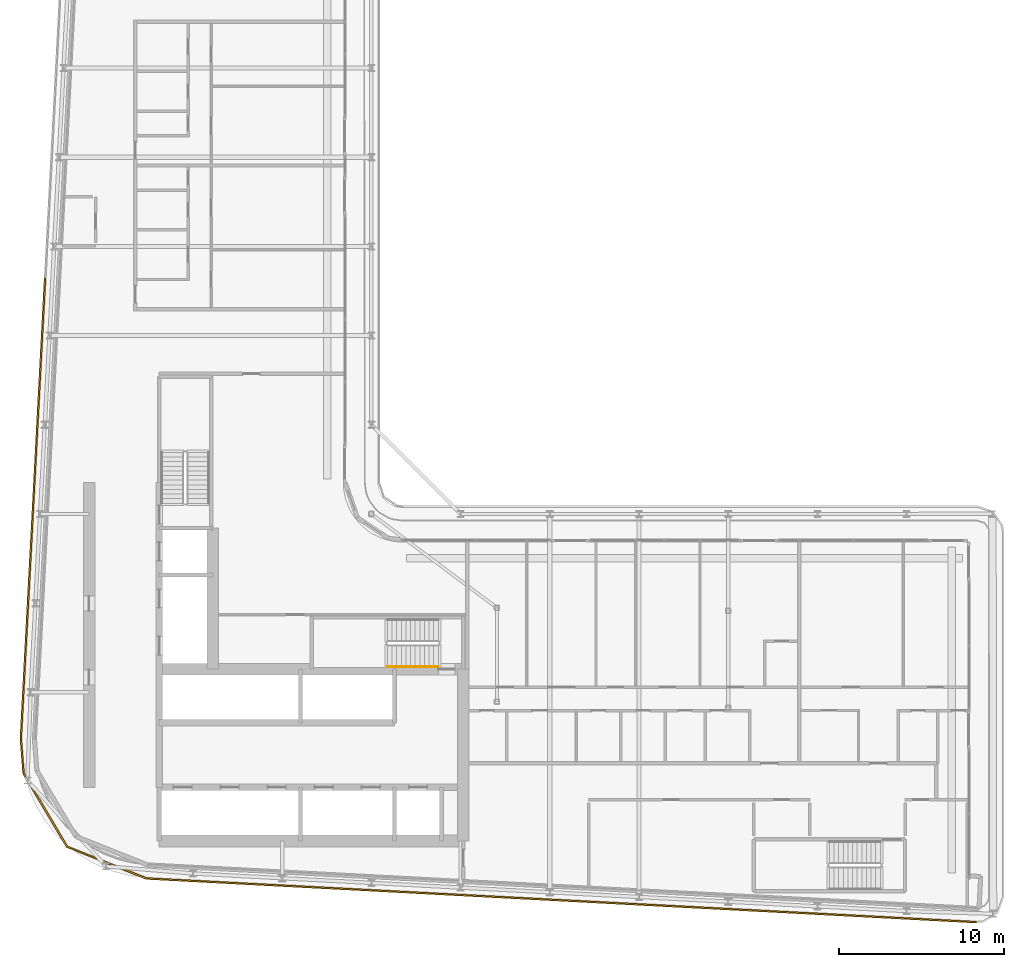
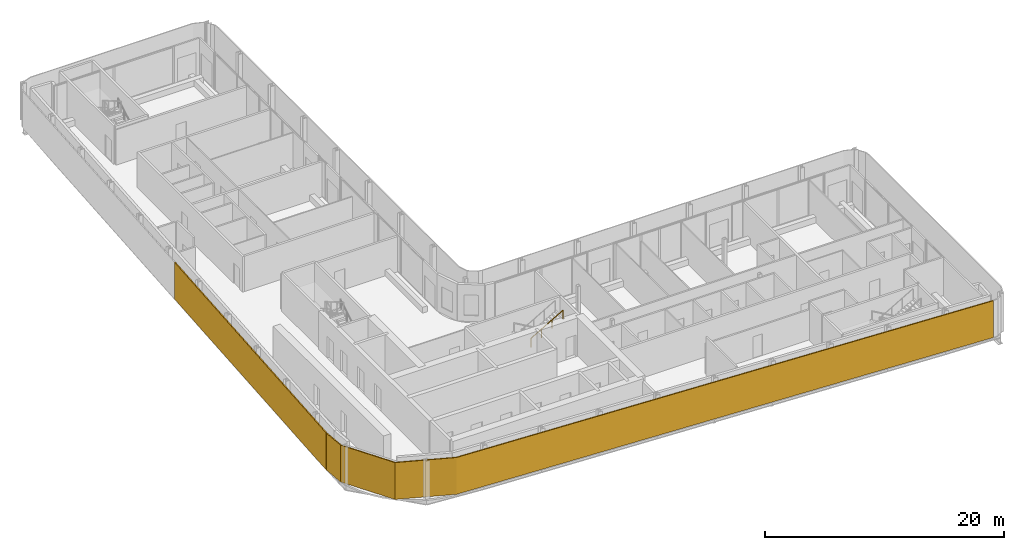
# One storey, part 15 of 21: 2 shading devices, 1 railing.
"""IFC4 building model written with IfcOpenShell, lengths in metres."""

from ifc_helpers import new_model, si_unit, direction, frame, origin, origin_2d, place, context, subcontext, project, spatial, polyline, rectangle, circle, outline, extrude, material, layer, layer_set, type_object, element, save


model = new_model("IFC4")

# Units and contexts
model_context = context("Model", 3, precision=1e-05, world=origin(), true_north=direction((0.0, 1.0)))
body_context = subcontext(model_context, "Body", "Model", "MODEL_VIEW")
ifc_project = project(units=[si_unit("LENGTHUNIT", "METRE"), si_unit("AREAUNIT", "SQUARE_METRE"), si_unit("VOLUMEUNIT", "CUBIC_METRE"), si_unit("PLANEANGLEUNIT", "RADIAN"), si_unit("MASSUNIT", "GRAM", prefix="KILO")], contexts=[model_context])

# Site, building, storey
site_placement = place(None, origin())
site = spatial("IfcSite", under=ifc_project, at=site_placement, CompositionType="ELEMENT")
building_placement = place(site_placement, origin())
building = spatial("IfcBuilding", under=site, at=building_placement, Name="Kheshtan School and Residences Tower", CompositionType="ELEMENT")
storey_placement = place(building_placement, frame((0.0, 0.0, 224.0)))
storey = spatial("IfcBuildingStorey", under=building, at=storey_placement, Name="L52", CompositionType="ELEMENT", Elevation=224.0)

# Shading devices
ifc_material_1 = material(Name="Terracotta baguette, extruded ceramic", Category="masonry")
ifc_layer = layer(ifc_material_1, 0.10009765625)
ifc_layer_set = layer_set([ifc_layer], Name="Ledge screen, terracotta baguettes")
shading_device_type = type_object("IfcShadingDeviceType", Name="Ledge screen, terracotta baguettes", PredefinedType="USERDEFINED", material=ifc_layer_set)
shading_device_1_placement = place(storey_placement, origin())
element("IfcShadingDevice", 1, at=shading_device_1_placement, inside=storey, type_object=shading_device_type, Name="Screen L52 3", ObjectType="BAGUETTE", PredefinedType="USERDEFINED", context=body_context, shape_type="SweptSolid", body=[
    extrude(outline(polyline([(84.220947265625, 20.93603515625), (33.989013671875, 23.580078125), (29.2119140625, 25.486083984375), (26.583984375, 29.906982421875), (26.419921875, 31.989013671875), (26.320068359375, 31.98095703125), (26.486083984375, 29.8759765625), (29.14306640625, 25.406005859375), (33.967041015625, 23.48095703125), (84.216064453125, 20.8359375), (84.220947265625, 20.93603515625)])), origin(), (0.0, 0.0, 1.0), 3.75),
])
shading_device_2_placement = place(storey_placement, frame((27.10400390625, 45.93896484375, 0.0), z_axis=(0.0, 0.0, 1.0), x_axis=(0.052562536748, 0.998617634398, 0.0)))
element("IfcShadingDevice", 2, at=shading_device_2_placement, inside=storey, type_object=shading_device_type, Name="Screen L52 4", ObjectType="BAGUETTE", PredefinedType="USERDEFINED", context=body_context, shape_type="SweptSolid", body=[
    extrude(rectangle(XDim=27.93408203125, YDim=0.10009765625, at=origin_2d()), origin(), (0.0, 0.0, 1.0), 3.75),
])

# Railing
ifc_material_2 = material(Name="Stainless steel handrail", Category="steel")
railing_type = type_object("IfcRailingType", Name="Stair handrail 900", PredefinedType="HANDRAIL", material=ifc_material_2)
railing_placement = place(storey_placement, frame((48.570068359375, 36.35009765625, 2.112548828125)))
element("IfcRailing", 3, at=railing_placement, inside=storey, type_object=railing_type, Name="L52 ST1 stair handrail 2", PredefinedType="HANDRAIL", context=body_context, shape_type="SweptSolid", body=[
    extrude(circle(Radius=0.02392578125, at=origin_2d()), frame((0.0, 0.0, 0.8759765625), z_axis=(0.864903211148, 0.0, 0.501938676878), x_axis=(0.0, 1.0, 0.0)), (0.0, 0.0, 1.0), 3.560791015625),
    extrude(circle(Radius=0.02099609375, at=origin_2d()), origin(), (0.0, 0.0, 1.0), 0.851806640625),
    extrude(circle(Radius=0.02099609375, at=origin_2d()), frame((1.026611328125, 0.0, 0.595703125)), (0.0, 0.0, 1.0), 0.851806640625),
    extrude(circle(Radius=0.02099609375, at=origin_2d()), frame((2.05322265625, 0.0, 1.191650390625)), (0.0, 0.0, 1.0), 0.851806640625),
    extrude(circle(Radius=0.02099609375, at=origin_2d()), frame((3.079833984375, 0.0, 1.787353515625)), (0.0, 0.0, 1.0), 0.851806640625),
])

save(model, "model.ifc")
